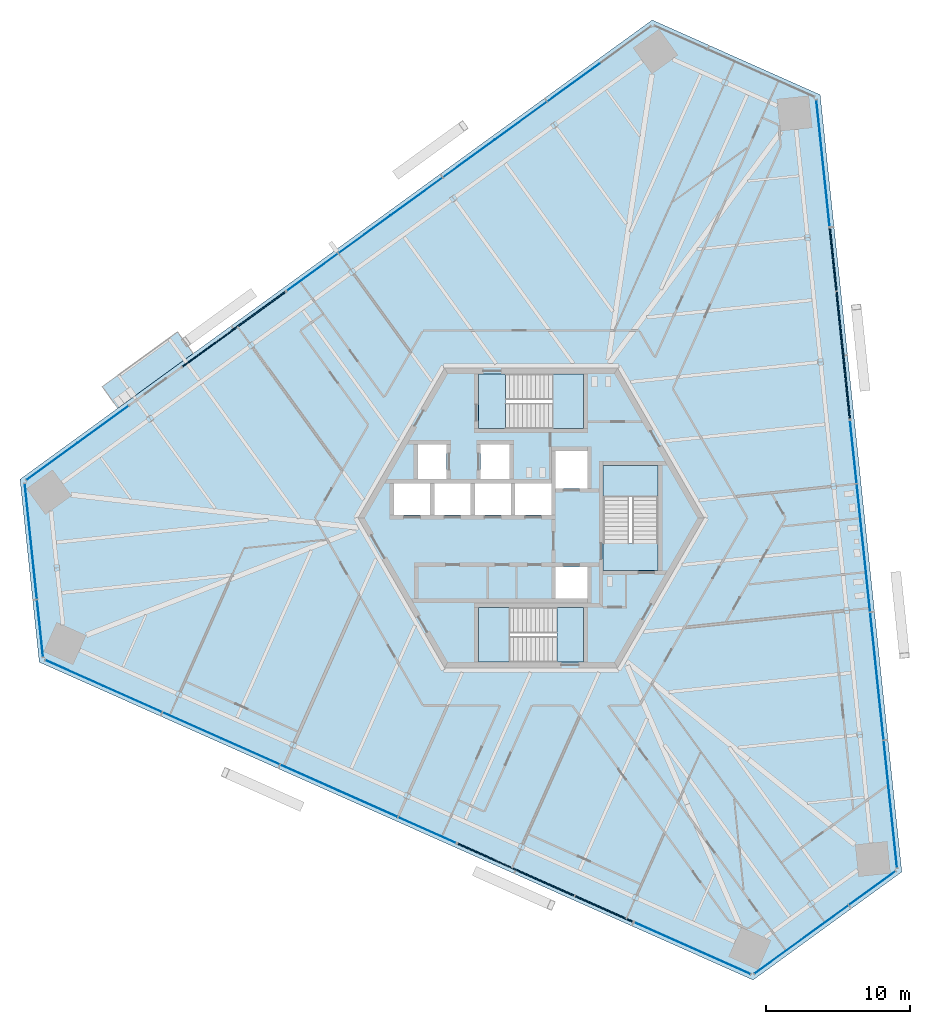
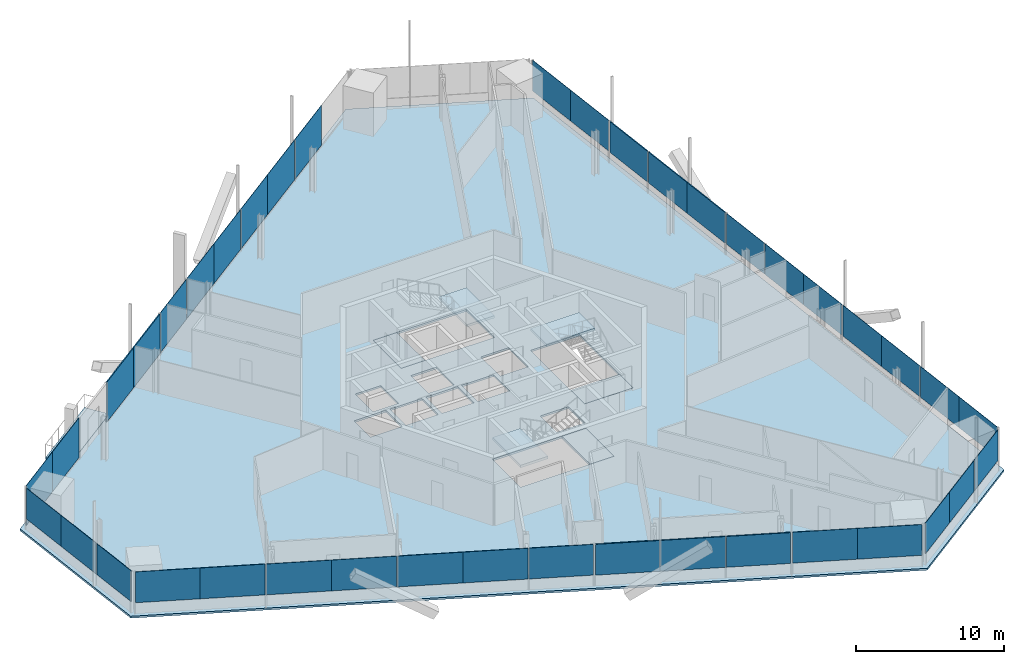
# One storey, part 9 of 21: 40 plates, 8 slabs, 14 elements without a shape of their own.
"""IFC4 building model written with IfcOpenShell, lengths in metres."""

from ifc_helpers import new_model, si_unit, direction, frame, origin, origin_2d, place, context, subcontext, project, spatial, polyline, rectangle, outline, extrude, source, transform, mapped, material, layer, layer_set, type_object, element, aggregate, save


model = new_model("IFC4")

# Units and contexts
model_context = context("Model", 3, precision=1e-05, world=origin(), true_north=direction((0.0, 1.0)))
body_context = subcontext(model_context, "Body", "Model", "MODEL_VIEW")
ifc_project = project(units=[si_unit("LENGTHUNIT", "METRE"), si_unit("AREAUNIT", "SQUARE_METRE"), si_unit("VOLUMEUNIT", "CUBIC_METRE"), si_unit("PLANEANGLEUNIT", "RADIAN"), si_unit("MASSUNIT", "GRAM", prefix="KILO")], contexts=[model_context])

# Site, building, storey
site_placement = place(None, origin())
site = spatial("IfcSite", under=ifc_project, at=site_placement, CompositionType="ELEMENT")
building_placement = place(site_placement, origin())
building = spatial("IfcBuilding", under=site, at=building_placement, Name="Triune Harvest Tower", CompositionType="ELEMENT")
storey_placement = place(building_placement, frame((0.0, 0.0, 80.10009765625)))
storey = spatial("IfcBuildingStorey", under=building, at=storey_placement, Name="L19", CompositionType="ELEMENT", Elevation=80.10009765625)

# Slab
ifc_material_1 = material(Name="Concrete 40 MPa", Category="concrete")
ifc_layer_1 = layer(ifc_material_1, 0.159912109375)
ifc_layer_set_1 = layer_set([ifc_layer_1], Name="Concrete 40 MPa")
slab_type_1 = type_object("IfcSlabType", Name="BA-1 balcony slab 160", PredefinedType="FLOOR", material=ifc_layer_set_1)
slab_1_placement = place(storey_placement, frame((0.0, 0.0, -0.16015625)))
element("IfcSlab", 1, at=slab_1_placement, inside=storey, type_object=slab_type_1, Name="Balcony slab B2-F3 L19.10", PredefinedType="FLOOR", context=body_context, shape_type="SweptSolid", body=[
    extrude(outline(polyline([(-23.422607421875, 11.4091796875), (-28.64599609375, 7.6142578125), (-29.730224609375, 9.106689453125), (-24.507080078125, 12.901611328125), (-23.422607421875, 11.4091796875)])), origin(), (0.0, 0.0, 1.0), 0.16015625),
])

# Curtain wall, plate
ifc_material_2 = material(Name="Aluminium bronze anodised", Category="aluminium")
curtain_wall_type_1 = type_object("IfcCurtainWallType", Name="CW-6 Balcony window wall", PredefinedType="NOTDEFINED", material=ifc_material_2)
curtain_wall_1_placement = place(storey_placement, origin())
curtain_wall_1 = element("IfcCurtainWall", 2, at=curtain_wall_1_placement, inside=storey, type_object=curtain_wall_type_1, Name="CW-6 B2-F3 L19 run 1")
ifc_material_3 = material(Name="Glass", Category="glass")
ifc_layer_2 = layer(ifc_material_3, 0.030029296875)
ifc_layer_set_2 = layer_set([ifc_layer_2], Name="Glass")
plate_type_1 = type_object("IfcPlateType", Name="GL-6 panel 30", PredefinedType="CURTAIN_PANEL", material=ifc_layer_set_2)
plate_1_placement = place(storey_placement, frame((-15.160888671875, 17.041015625, 0.14990234375), z_axis=(0.0, 0.0, 1.0), x_axis=(-0.809017316839, -0.587784808458, 0.0)))
plate_1 = element("IfcPlate", 3, at=plate_1_placement, type_object=plate_type_1, Name="CW-6 panel B2-F3 1.7", PredefinedType="CURTAIN_PANEL", context=body_context, shape_type="SweptSolid", body=[
    extrude(rectangle(XDim=4.363037109375, YDim=0.030029296875, at=origin_2d()), origin(), (0.0, 0.0, 1.0), 3.2900390625),
])

# Slab
ifc_material_4 = material(Name="Concrete 40 MPa", Category="concrete")
ifc_layer_3 = layer(ifc_material_4, 0.159912109375)
ifc_layer_set_3 = layer_set([ifc_layer_3], Name="Concrete 40 MPa")
slab_type_2 = type_object("IfcSlabType", Name="SL-1 Composite floor slab 160", PredefinedType="FLOOR", material=ifc_layer_set_3)
shared_shape_1 = source(origin(), body_context, "Body", "SweptSolid", [
    extrude(outline(polyline([(25.703125, -24.534423828125), (20.04052734375, 29.34228515625), (8.395751953125, 34.526611328125), (-35.431396484375, 2.6845703125), (-34.098876953125, -9.992431640625), (15.390869140625, -32.026611328125), (25.703125, -24.534423828125)]), holes=[polyline([(-7.0, 0.2099609375), (-7.0, 2.409912109375), (-9.5, 2.409912109375), (-9.5, 0.2099609375), (-7.0, 0.2099609375)]), polyline([(-4.199951171875, 0.2099609375), (-4.199951171875, 2.409912109375), (-6.699951171875, 2.409912109375), (-6.699951171875, 0.2099609375), (-4.199951171875, 0.2099609375)]), polyline([(-1.39990234375, 0.2099609375), (-1.39990234375, 2.409912109375), (-3.89990234375, 2.409912109375), (-3.89990234375, 0.2099609375), (-1.39990234375, 0.2099609375)]), polyline([(1.39990234375, 0.2099609375), (1.39990234375, 2.409912109375), (-1.10009765625, 2.409912109375), (-1.10009765625, 0.2099609375), (1.39990234375, 0.2099609375)]), polyline([(3.89990234375, 2.06005859375), (3.89990234375, 4.659912109375), (1.699951171875, 4.659912109375), (1.699951171875, 2.06005859375), (3.89990234375, 2.06005859375)]), polyline([(3.89990234375, -5.590087890625), (3.89990234375, -3.389892578125), (1.699951171875, -3.389892578125), (1.699951171875, -5.590087890625), (3.89990234375, -5.590087890625)]), polyline([(-5.85009765625, 2.7099609375), (-5.85009765625, 5.110107421875), (-7.85009765625, 5.110107421875), (-7.85009765625, 2.7099609375), (-5.85009765625, 2.7099609375)]), polyline([(-1.5, 2.7099609375), (-1.5, 5.110107421875), (-3.5, 5.110107421875), (-3.5, 2.7099609375), (-1.5, 2.7099609375)]), polyline([(3.64990234375, 6.18994140625), (3.64990234375, 9.989990234375), (-3.64990234375, 9.989990234375), (-3.64990234375, 6.18994140625), (3.64990234375, 6.18994140625)]), polyline([(3.64990234375, -9.989990234375), (3.64990234375, -6.18994140625), (-3.64990234375, -6.18994140625), (-3.64990234375, -9.989990234375), (3.64990234375, -9.989990234375)]), polyline([(8.800048828125, -3.64990234375), (8.800048828125, 3.64990234375), (5.0, 3.64990234375), (5.0, -3.64990234375), (8.800048828125, -3.64990234375)])]), origin(), (0.0, 0.0, 1.0), 0.16015625),
])
slab_2_placement = place(storey_placement, frame((0.0, 0.0, -0.16015625)))
element("IfcSlab", 4, at=slab_2_placement, inside=storey, type_object=slab_type_2, Name="slab/L19/1", PredefinedType="FLOOR", context=body_context, shape_type="MappedRepresentation", body=[
    mapped(shared_shape_1, transform((0.0, 0.0, 0.0), scale=1.0)),
])

# Stair, slabs
ifc_material_5 = material(Name="Concrete 40 MPa", Category="concrete")
stair_type = type_object("IfcStairType", Name="Exit stair 1800 half turn", PredefinedType="HALF_TURN_STAIR", material=ifc_material_5)
stair_1_placement = place(storey_placement, origin())
stair_1 = element("IfcStair", 5, at=stair_1_placement, inside=storey, type_object=stair_type, Name="Exit stair north", PredefinedType="HALF_TURN_STAIR")
ifc_material_6 = material(Name="Concrete 40 MPa", Category="concrete")
ifc_layer_4 = layer(ifc_material_6, 0.199951171875)
ifc_layer_set_4 = layer_set([ifc_layer_4], Name="Concrete 40 MPa")
slab_type_3 = type_object("IfcSlabType", Name="Stair landing 200", PredefinedType="LANDING", material=ifc_layer_set_4)
shared_shape_2 = source(origin(), body_context, "Body", "SweptSolid", [
    extrude(outline(polyline([(1.510009765625, 6.18994140625), (3.64990234375, 6.18994140625), (3.64990234375, 9.989990234375), (1.510009765625, 9.989990234375), (1.510009765625, 6.18994140625)])), origin(), (0.0, 0.0, 1.0), 0.199951171875),
])
slab_3_placement = place(storey_placement, frame((0.0, 0.0, 1.599853515625)))
slab_3 = element("IfcSlab", 6, at=slab_3_placement, type_object=slab_type_3, Name="ST-1 landing 2", PredefinedType="LANDING", context=body_context, shape_type="MappedRepresentation", body=[
    mapped(shared_shape_2, transform((0.0, 0.0, 0.0), scale=1.0)),
])
shared_shape_3 = source(origin(), body_context, "Body", "SweptSolid", [
    extrude(outline(polyline([(-3.64990234375, 6.18994140625), (-1.780029296875, 6.18994140625), (-1.780029296875, 9.989990234375), (-3.64990234375, 9.989990234375), (-3.64990234375, 6.18994140625)])), origin(), (0.0, 0.0, 1.0), 0.2001953125),
])
slab_4_placement = place(storey_placement, frame((0.0, 0.0, -0.2001953125)))
slab_4 = element("IfcSlab", 7, at=slab_4_placement, type_object=slab_type_3, Name="ST-1 landing 1", PredefinedType="LANDING", context=body_context, shape_type="MappedRepresentation", body=[
    mapped(shared_shape_3, transform((0.0, 0.0, 0.0), scale=1.0)),
])
aggregate(stair_1, [slab_4, slab_3])

stair_2_placement = place(storey_placement, origin())
stair_2 = element("IfcStair", 8, at=stair_2_placement, inside=storey, type_object=stair_type, Name="Exit stair south", PredefinedType="HALF_TURN_STAIR")
shared_shape_4 = source(origin(), body_context, "Body", "SweptSolid", [
    extrude(outline(polyline([(-1.510009765625, -6.18994140625), (-3.64990234375, -6.18994140625), (-3.64990234375, -9.989990234375), (-1.510009765625, -9.989990234375), (-1.510009765625, -6.18994140625)])), origin(), (0.0, 0.0, 1.0), 0.199951171875),
])
slab_5_placement = place(storey_placement, frame((0.0, 0.0, 1.599853515625)))
slab_5 = element("IfcSlab", 9, at=slab_5_placement, type_object=slab_type_3, Name="ST-2 landing 2", PredefinedType="LANDING", context=body_context, shape_type="MappedRepresentation", body=[
    mapped(shared_shape_4, transform((0.0, 0.0, 0.0), scale=1.0)),
])
shared_shape_5 = source(origin(), body_context, "Body", "SweptSolid", [
    extrude(outline(polyline([(3.64990234375, -6.18994140625), (1.780029296875, -6.18994140625), (1.780029296875, -9.989990234375), (3.64990234375, -9.989990234375), (3.64990234375, -6.18994140625)])), origin(), (0.0, 0.0, 1.0), 0.2001953125),
])
slab_6_placement = place(storey_placement, frame((0.0, 0.0, -0.2001953125)))
slab_6 = element("IfcSlab", 10, at=slab_6_placement, type_object=slab_type_3, Name="ST-2 landing 1", PredefinedType="LANDING", context=body_context, shape_type="MappedRepresentation", body=[
    mapped(shared_shape_5, transform((0.0, 0.0, 0.0), scale=1.0)),
])
aggregate(stair_2, [slab_6, slab_5])

stair_3_placement = place(storey_placement, origin())
stair_3 = element("IfcStair", 11, at=stair_3_placement, inside=storey, type_object=stair_type, Name="Exit stair east", PredefinedType="HALF_TURN_STAIR")
shared_shape_6 = source(origin(), body_context, "Body", "SweptSolid", [
    extrude(outline(polyline([(8.800048828125, 1.510009765625), (8.800048828125, 3.64990234375), (5.0, 3.64990234375), (5.0, 1.510009765625), (8.800048828125, 1.510009765625)])), origin(), (0.0, 0.0, 1.0), 0.199951171875),
])
slab_7_placement = place(storey_placement, frame((0.0, 0.0, 1.599853515625)))
slab_7 = element("IfcSlab", 12, at=slab_7_placement, type_object=slab_type_3, Name="ST-3 landing 2", PredefinedType="LANDING", context=body_context, shape_type="MappedRepresentation", body=[
    mapped(shared_shape_6, transform((0.0, 0.0, 0.0), scale=1.0)),
])
shared_shape_7 = source(origin(), body_context, "Body", "SweptSolid", [
    extrude(outline(polyline([(8.800048828125, -3.64990234375), (8.800048828125, -1.780029296875), (5.0, -1.780029296875), (5.0, -3.64990234375), (8.800048828125, -3.64990234375)])), origin(), (0.0, 0.0, 1.0), 0.2001953125),
])
slab_8_placement = place(storey_placement, frame((0.0, 0.0, -0.2001953125)))
slab_8 = element("IfcSlab", 13, at=slab_8_placement, type_object=slab_type_3, Name="ST-3 landing 1", PredefinedType="LANDING", context=body_context, shape_type="MappedRepresentation", body=[
    mapped(shared_shape_7, transform((0.0, 0.0, 0.0), scale=1.0)),
])
aggregate(stair_3, [slab_8, slab_7])

# Curtain wall, plates
ifc_material_7 = material(Name="Aluminium bronze anodised", Category="aluminium")
curtain_wall_type_2 = type_object("IfcCurtainWallType", Name="CW-1 Tower stick curtain wall", PredefinedType="NOTDEFINED", material=ifc_material_7)
curtain_wall_2_placement = place(storey_placement, origin())
curtain_wall_2 = element("IfcCurtainWall", 14, at=curtain_wall_2_placement, inside=storey, type_object=curtain_wall_type_2, Name="CW-1 B2-F4 L19 run 1")
ifc_material_8 = material(Name="Glass", Category="glass")
ifc_layer_5 = layer(ifc_material_8, 0.031982421875)
ifc_layer_set_5 = layer_set([ifc_layer_5], Name="Glass")
plate_type_2 = type_object("IfcPlateType", Name="GL-1 panel 32", PredefinedType="CURTAIN_PANEL", material=ifc_layer_set_5)
shared_shape_8 = source(origin(), body_context, "Body", "SweptSolid", [
    extrude(rectangle(XDim=3.99853515625, YDim=0.031982421875, at=origin_2d()), origin(), (0.0, 0.0, 1.0), 2.5400390625),
])
plate_2_placement = place(storey_placement, frame((-34.888671875, 0.39111328125, 0.89990234375), z_axis=(0.0, 0.0, 1.0), x_axis=(0.104529462601, -0.994521790334, 0.0)))
plate_2 = element("IfcPlate", 15, at=plate_2_placement, type_object=plate_type_2, Name="CW-1 panel B2-F4 1.1", PredefinedType="CURTAIN_PANEL", context=body_context, shape_type="MappedRepresentation", body=[
    mapped(shared_shape_8, transform((0.0, 0.0, 0.0), scale=1.0)),
])
shared_shape_9 = source(origin(), body_context, "Body", "SweptSolid", [
    extrude(rectangle(XDim=4.035888671875, YDim=0.031982421875, at=origin_2d()), origin(), (0.0, 0.0, 1.0), 2.5400390625),
])
plate_3_placement = place(storey_placement, frame((-34.46875, -3.60400390625, 0.89990234375), z_axis=(0.0, 0.0, 1.0), x_axis=(0.104529462601, -0.994521790334, 0.0)))
plate_3 = element("IfcPlate", 16, at=plate_3_placement, type_object=plate_type_2, Name="CW-1 panel B2-F4 1.2", PredefinedType="CURTAIN_PANEL", context=body_context, shape_type="MappedRepresentation", body=[
    mapped(shared_shape_9, transform((0.0, 0.0, 0.0), scale=1.0)),
])

# Curtain wall, plate
curtain_wall_3_placement = place(storey_placement, origin())
curtain_wall_3 = element("IfcCurtainWall", 17, at=curtain_wall_3_placement, inside=storey, type_object=curtain_wall_type_2, Name="CW-1 B2-F6 L19 run 1")
plate_4_placement = place(storey_placement, frame((20.35546875, -28.048828125, 0.89990234375), z_axis=(0.0, 0.0, 1.0), x_axis=(0.809013235692, 0.58779042564, 0.0)))
plate_4 = element("IfcPlate", 18, at=plate_4_placement, type_object=plate_type_2, Name="CW-1 panel B2-F6 1.2", PredefinedType="CURTAIN_PANEL", context=body_context, shape_type="MappedRepresentation", body=[
    mapped(shared_shape_9, transform((0.0, 0.0, 0.0), scale=1.0)),
])

# Plate
shared_shape_10 = source(origin(), body_context, "Body", "SweptSolid", [
    extrude(rectangle(XDim=3.9609375, YDim=0.031982421875, at=origin_2d()), origin(), (0.0, 0.0, 1.0), 2.5400390625),
])
plate_5_placement = place(storey_placement, frame((-34.04296875, -7.655029296875, 0.89990234375), z_axis=(0.0, 0.0, 1.0), x_axis=(0.104529462601, -0.994521790334, 0.0)))
plate_5 = element("IfcPlate", 19, at=plate_5_placement, type_object=plate_type_2, Name="CW-1 panel B2-F4 1.3", PredefinedType="CURTAIN_PANEL", context=body_context, shape_type="MappedRepresentation", body=[
    mapped(shared_shape_10, transform((0.0, 0.0, 0.0), scale=1.0)),
])

aggregate(curtain_wall_2, [plate_2, plate_3, plate_5])

plate_6_placement = place(storey_placement, frame((23.65087890625, -25.654541015625, 0.89990234375), z_axis=(0.0, 0.0, 1.0), x_axis=(0.809013235692, 0.58779042564, 0.0)))
plate_6 = element("IfcPlate", 20, at=plate_6_placement, type_object=plate_type_2, Name="CW-1 panel B2-F6 1.3", PredefinedType="CURTAIN_PANEL", context=body_context, shape_type="MappedRepresentation", body=[
    mapped(shared_shape_10, transform((0.0, 0.0, 0.0), scale=1.0)),
])

shared_shape_11 = source(origin(), body_context, "Body", "SweptSolid", [
    extrude(rectangle(XDim=3.998291015625, YDim=0.031982421875, at=origin_2d()), origin(), (0.0, 0.0, 1.0), 2.5400390625),
])
plate_7_placement = place(storey_placement, frame((17.10546875, -30.41015625, 0.89990234375), z_axis=(0.0, 0.0, 1.0), x_axis=(0.809013235692, 0.58779042564, 0.0)))
plate_7 = element("IfcPlate", 21, at=plate_7_placement, type_object=plate_type_2, Name="CW-1 panel B2-F6 1.1", PredefinedType="CURTAIN_PANEL", context=body_context, shape_type="MappedRepresentation", body=[
    mapped(shared_shape_11, transform((0.0, 0.0, 0.0), scale=1.0)),
])

aggregate(curtain_wall_3, [plate_7, plate_4, plate_6])

# Curtain wall, plate
ifc_material_9 = material(Name="Aluminium bronze anodised", Category="aluminium")
curtain_wall_type_3 = type_object("IfcCurtainWallType", Name="CW-7 Tower stick curtain wall with insulated spandrel infill", PredefinedType="NOTDEFINED", material=ifc_material_9)
curtain_wall_4_placement = place(storey_placement, origin())
curtain_wall_4 = element("IfcCurtainWall", 22, at=curtain_wall_4_placement, inside=storey, type_object=curtain_wall_type_3, Name="CW-7 B2-F1 L19 run 1001")
ifc_material_10 = material(Name="Insulated spandrel panel, bronze aluminium pan", Category="aluminium")
ifc_layer_6 = layer(ifc_material_10, 0.080078125)
ifc_layer_set_6 = layer_set([ifc_layer_6], Name="Insulated spandrel panel, bronze aluminium pan")
plate_type_3 = type_object("IfcPlateType", Name="SP-1 insulated spandrel panel 80", PredefinedType="CURTAIN_PANEL", material=ifc_layer_set_6)
shared_shape_12 = source(origin(), body_context, "Body", "SweptSolid", [
    extrude(rectangle(XDim=4.3955078125, YDim=0.080078125, at=origin_2d()), origin(), (0.0, 0.0, 1.0), 2.5400390625),
])
plate_8_placement = place(storey_placement, frame((21.868408203125, 9.078857421875, 0.89990234375), z_axis=(0.0, 0.0, 1.0), x_axis=(-0.104527591495, 0.994521986995, 0.0)))
plate_8 = element("IfcPlate", 23, at=plate_8_placement, type_object=plate_type_3, Name="CW-7 panel B2-F1 1001.1", PredefinedType="CURTAIN_PANEL", context=body_context, shape_type="MappedRepresentation", body=[
    mapped(shared_shape_12, transform((0.0, 0.0, 0.0), scale=1.0)),
])

curtain_wall_5_placement = place(storey_placement, origin())
curtain_wall_5 = element("IfcCurtainWall", 24, at=curtain_wall_5_placement, inside=storey, type_object=curtain_wall_type_3, Name="CW-7 B2-F5 L19 run 1001")
plate_9_placement = place(storey_placement, frame((-3.071533203125, -23.478271484375, 0.89990234375), z_axis=(0.0, 0.0, 1.0), x_axis=(0.91354354316, -0.406740943046, 0.0)))
plate_9 = element("IfcPlate", 25, at=plate_9_placement, type_object=plate_type_3, Name="CW-7 panel B2-F5 1001.1", PredefinedType="CURTAIN_PANEL", context=body_context, shape_type="MappedRepresentation", body=[
    mapped(shared_shape_12, transform((0.0, 0.0, 0.0), scale=1.0)),
])

# Plate
shared_shape_13 = source(origin(), body_context, "Body", "SweptSolid", [
    extrude(rectangle(XDim=4.43310546875, YDim=0.080078125, at=origin_2d()), origin(), (0.0, 0.0, 1.0), 2.5400390625),
])
plate_10_placement = place(storey_placement, frame((21.4072265625, 13.468994140625, 0.89990234375), z_axis=(0.0, 0.0, 1.0), x_axis=(-0.104527591495, 0.994521986995, 0.0)))
plate_10 = element("IfcPlate", 26, at=plate_10_placement, type_object=plate_type_3, Name="CW-7 panel B2-F1 1001.2", PredefinedType="CURTAIN_PANEL", context=body_context, shape_type="MappedRepresentation", body=[
    mapped(shared_shape_13, transform((0.0, 0.0, 0.0), scale=1.0)),
])

plate_11_placement = place(storey_placement, frame((0.961181640625, -25.273681640625, 0.89990234375), z_axis=(0.0, 0.0, 1.0), x_axis=(0.91354354316, -0.406740943046, 0.0)))
plate_11 = element("IfcPlate", 27, at=plate_11_placement, type_object=plate_type_3, Name="CW-7 panel B2-F5 1001.2", PredefinedType="CURTAIN_PANEL", context=body_context, shape_type="MappedRepresentation", body=[
    mapped(shared_shape_13, transform((0.0, 0.0, 0.0), scale=1.0)),
])

# Curtain wall, plate
curtain_wall_6_placement = place(storey_placement, origin())
curtain_wall_6 = element("IfcCurtainWall", 28, at=curtain_wall_6_placement, inside=storey, type_object=curtain_wall_type_2, Name="CW-1 B2-F1 L19 run 1")
shared_shape_14 = source(origin(), body_context, "Body", "SweptSolid", [
    extrude(rectangle(XDim=4.3955078125, YDim=0.031982421875, at=origin_2d()), origin(), (0.0, 0.0, 1.0), 2.5400390625),
])
plate_12_placement = place(storey_placement, frame((25.1396484375, -22.043701171875, 0.89990234375), z_axis=(0.0, 0.0, 1.0), x_axis=(-0.1045277105, 0.994521974487, 0.0)))
plate_12 = element("IfcPlate", 29, at=plate_12_placement, type_object=plate_type_2, Name="CW-1 panel B2-F1 1.1", PredefinedType="CURTAIN_PANEL", context=body_context, shape_type="MappedRepresentation", body=[
    mapped(shared_shape_14, transform((0.0, 0.0, 0.0), scale=1.0)),
])

# Curtain wall, plates
curtain_wall_7_placement = place(storey_placement, origin())
curtain_wall_7 = element("IfcCurtainWall", 30, at=curtain_wall_7_placement, inside=storey, type_object=curtain_wall_type_2, Name="CW-1 B2-F1 L19 run 2001")
plate_13_placement = place(storey_placement, frame((20.466552734375, 22.417236328125, 0.89990234375), z_axis=(0.0, 0.0, 1.0), x_axis=(-0.104526845393, 0.994522065412, 0.0)))
plate_13 = element("IfcPlate", 31, at=plate_13_placement, type_object=plate_type_2, Name="CW-1 panel B2-F1 2001.1", PredefinedType="CURTAIN_PANEL", context=body_context, shape_type="MappedRepresentation", body=[
    mapped(shared_shape_14, transform((0.0, 0.0, 0.0), scale=1.0)),
])
plate_14_placement = place(storey_placement, frame((20.007080078125, 26.788818359375, 0.89990234375), z_axis=(0.0, 0.0, 1.0), x_axis=(-0.104526845393, 0.994522065412, 0.0)))
plate_14 = element("IfcPlate", 32, at=plate_14_placement, type_object=plate_type_2, Name="CW-1 panel B2-F1 2001.2", PredefinedType="CURTAIN_PANEL", context=body_context, shape_type="MappedRepresentation", body=[
    mapped(shared_shape_14, transform((0.0, 0.0, 0.0), scale=1.0)),
])
aggregate(curtain_wall_7, [plate_13, plate_14])

# Curtain wall, plate
curtain_wall_8_placement = place(storey_placement, origin())
curtain_wall_8 = element("IfcCurtainWall", 33, at=curtain_wall_8_placement, inside=storey, type_object=curtain_wall_type_2, Name="CW-1 B2-F5 L19 run 1")
plate_15_placement = place(storey_placement, frame((-31.66015625, -10.749755859375, 0.89990234375), z_axis=(0.0, 0.0, 1.0), x_axis=(0.913545672895, -0.40673615961, 0.0)))
plate_15 = element("IfcPlate", 34, at=plate_15_placement, type_object=plate_type_2, Name="CW-1 panel B2-F5 1.1", PredefinedType="CURTAIN_PANEL", context=body_context, shape_type="MappedRepresentation", body=[
    mapped(shared_shape_14, transform((0.0, 0.0, 0.0), scale=1.0)),
])

# Curtain wall, plates
curtain_wall_9_placement = place(storey_placement, origin())
curtain_wall_9 = element("IfcCurtainWall", 35, at=curtain_wall_9_placement, inside=storey, type_object=curtain_wall_type_2, Name="CW-1 B2-F5 L19 run 2001")
plate_16_placement = place(storey_placement, frame((9.1806640625, -28.933349609375, 0.89990234375), z_axis=(0.0, 0.0, 1.0), x_axis=(0.913546072938, -0.406735261097, 0.0)))
plate_16 = element("IfcPlate", 36, at=plate_16_placement, type_object=plate_type_2, Name="CW-1 panel B2-F5 2001.1", PredefinedType="CURTAIN_PANEL", context=body_context, shape_type="MappedRepresentation", body=[
    mapped(shared_shape_14, transform((0.0, 0.0, 0.0), scale=1.0)),
])
plate_17_placement = place(storey_placement, frame((13.1962890625, -30.72119140625, 0.89990234375), z_axis=(0.0, 0.0, 1.0), x_axis=(0.913546072938, -0.406735261097, 0.0)))
plate_17 = element("IfcPlate", 37, at=plate_17_placement, type_object=plate_type_2, Name="CW-1 panel B2-F5 2001.2", PredefinedType="CURTAIN_PANEL", context=body_context, shape_type="MappedRepresentation", body=[
    mapped(shared_shape_14, transform((0.0, 0.0, 0.0), scale=1.0)),
])
aggregate(curtain_wall_9, [plate_16, plate_17])

# Plate
shared_shape_15 = source(origin(), body_context, "Body", "SweptSolid", [
    extrude(rectangle(XDim=4.43310546875, YDim=0.031982421875, at=origin_2d()), origin(), (0.0, 0.0, 1.0), 2.5400390625),
])
plate_18_placement = place(storey_placement, frame((24.67822265625, -17.653564453125, 0.89990234375), z_axis=(0.0, 0.0, 1.0), x_axis=(-0.1045277105, 0.994521974487, 0.0)))
plate_18 = element("IfcPlate", 38, at=plate_18_placement, type_object=plate_type_2, Name="CW-1 panel B2-F1 1.2", PredefinedType="CURTAIN_PANEL", context=body_context, shape_type="MappedRepresentation", body=[
    mapped(shared_shape_15, transform((0.0, 0.0, 0.0), scale=1.0)),
])

plate_19_placement = place(storey_placement, frame((24.20703125, -13.170166015625, 0.89990234375), z_axis=(0.0, 0.0, 1.0), x_axis=(-0.1045277105, 0.994521974487, 0.0)))
plate_19 = element("IfcPlate", 39, at=plate_19_placement, type_object=plate_type_2, Name="CW-1 panel B2-F1 1.3", PredefinedType="CURTAIN_PANEL", context=body_context, shape_type="MappedRepresentation", body=[
    mapped(shared_shape_15, transform((0.0, 0.0, 0.0), scale=1.0)),
])

plate_20_placement = place(storey_placement, frame((23.74365234375, -8.76123046875, 0.89990234375), z_axis=(0.0, 0.0, 1.0), x_axis=(-0.1045277105, 0.994521974487, 0.0)))
plate_20 = element("IfcPlate", 40, at=plate_20_placement, type_object=plate_type_2, Name="CW-1 panel B2-F1 1.4", PredefinedType="CURTAIN_PANEL", context=body_context, shape_type="MappedRepresentation", body=[
    mapped(shared_shape_15, transform((0.0, 0.0, 0.0), scale=1.0)),
])

plate_21_placement = place(storey_placement, frame((23.2724609375, -4.278076171875, 0.89990234375), z_axis=(0.0, 0.0, 1.0), x_axis=(-0.1045277105, 0.994521974487, 0.0)))
plate_21 = element("IfcPlate", 41, at=plate_21_placement, type_object=plate_type_2, Name="CW-1 panel B2-F1 1.5", PredefinedType="CURTAIN_PANEL", context=body_context, shape_type="MappedRepresentation", body=[
    mapped(shared_shape_15, transform((0.0, 0.0, 0.0), scale=1.0)),
])

plate_22_placement = place(storey_placement, frame((22.80908203125, 0.130859375, 0.89990234375), z_axis=(0.0, 0.0, 1.0), x_axis=(-0.1045277105, 0.994521974487, 0.0)))
plate_22 = element("IfcPlate", 42, at=plate_22_placement, type_object=plate_type_2, Name="CW-1 panel B2-F1 1.6", PredefinedType="CURTAIN_PANEL", context=body_context, shape_type="MappedRepresentation", body=[
    mapped(shared_shape_15, transform((0.0, 0.0, 0.0), scale=1.0)),
])

plate_23_placement = place(storey_placement, frame((-27.62744140625, -12.54541015625, 0.89990234375), z_axis=(0.0, 0.0, 1.0), x_axis=(0.913545672895, -0.40673615961, 0.0)))
plate_23 = element("IfcPlate", 43, at=plate_23_placement, type_object=plate_type_2, Name="CW-1 panel B2-F5 1.2", PredefinedType="CURTAIN_PANEL", context=body_context, shape_type="MappedRepresentation", body=[
    mapped(shared_shape_15, transform((0.0, 0.0, 0.0), scale=1.0)),
])

plate_24_placement = place(storey_placement, frame((-23.509033203125, -14.37890625, 0.89990234375), z_axis=(0.0, 0.0, 1.0), x_axis=(0.913545672895, -0.40673615961, 0.0)))
plate_24 = element("IfcPlate", 44, at=plate_24_placement, type_object=plate_type_2, Name="CW-1 panel B2-F5 1.3", PredefinedType="CURTAIN_PANEL", context=body_context, shape_type="MappedRepresentation", body=[
    mapped(shared_shape_15, transform((0.0, 0.0, 0.0), scale=1.0)),
])

plate_25_placement = place(storey_placement, frame((-19.459228515625, -16.181884765625, 0.89990234375), z_axis=(0.0, 0.0, 1.0), x_axis=(0.913545672895, -0.40673615961, 0.0)))
plate_25 = element("IfcPlate", 45, at=plate_25_placement, type_object=plate_type_2, Name="CW-1 panel B2-F5 1.4", PredefinedType="CURTAIN_PANEL", context=body_context, shape_type="MappedRepresentation", body=[
    mapped(shared_shape_15, transform((0.0, 0.0, 0.0), scale=1.0)),
])

plate_26_placement = place(storey_placement, frame((-15.341064453125, -18.015625, 0.89990234375), z_axis=(0.0, 0.0, 1.0), x_axis=(0.913545672895, -0.40673615961, 0.0)))
plate_26 = element("IfcPlate", 46, at=plate_26_placement, type_object=plate_type_2, Name="CW-1 panel B2-F5 1.5", PredefinedType="CURTAIN_PANEL", context=body_context, shape_type="MappedRepresentation", body=[
    mapped(shared_shape_15, transform((0.0, 0.0, 0.0), scale=1.0)),
])

plate_27_placement = place(storey_placement, frame((-11.291015625, -19.818603515625, 0.89990234375), z_axis=(0.0, 0.0, 1.0), x_axis=(0.913545672895, -0.40673615961, 0.0)))
plate_27 = element("IfcPlate", 47, at=plate_27_placement, type_object=plate_type_2, Name="CW-1 panel B2-F5 1.6", PredefinedType="CURTAIN_PANEL", context=body_context, shape_type="MappedRepresentation", body=[
    mapped(shared_shape_15, transform((0.0, 0.0, 0.0), scale=1.0)),
])

# Curtain wall, plates
curtain_wall_10_placement = place(storey_placement, origin())
curtain_wall_10 = element("IfcCurtainWall", 48, at=curtain_wall_10_placement, inside=storey, type_object=curtain_wall_type_1, Name="CW-6 B2-F3 L19 run 2")
shared_shape_16 = source(origin(), body_context, "Body", "SweptSolid", [
    extrude(rectangle(XDim=4.365478515625, YDim=0.030029296875, at=origin_2d()), origin(), (0.0, 0.0, 1.0), 3.2900390625),
])
plate_28_placement = place(storey_placement, frame((-29.68359375, 6.489501953125, 0.14990234375), z_axis=(0.0, 0.0, 1.0), x_axis=(-0.809017013446, -0.587785226043, 0.0)))
plate_28 = element("IfcPlate", 49, at=plate_28_placement, type_object=plate_type_1, Name="CW-6 panel B2-F3 2.1", PredefinedType="CURTAIN_PANEL", context=body_context, shape_type="MappedRepresentation", body=[
    mapped(shared_shape_16, transform((0.0, 0.0, 0.0), scale=1.0)),
])
plate_29_placement = place(storey_placement, frame((-33.21533203125, 3.923583984375, 0.14990234375), z_axis=(0.0, 0.0, 1.0), x_axis=(-0.809017013446, -0.587785226043, 0.0)))
plate_29 = element("IfcPlate", 50, at=plate_29_placement, type_object=plate_type_1, Name="CW-6 panel B2-F3 2.2", PredefinedType="CURTAIN_PANEL", context=body_context, shape_type="MappedRepresentation", body=[
    mapped(shared_shape_16, transform((0.0, 0.0, 0.0), scale=1.0)),
])
aggregate(curtain_wall_10, [plate_28, plate_29])

ifc_material_11 = material(Name="Aluminium bronze anodised", Category="aluminium")
curtain_wall_type_4 = type_object("IfcCurtainWallType", Name="CW-10 Balcony window wall with insulated spandrel infill", PredefinedType="NOTDEFINED", material=ifc_material_11)
curtain_wall_11_placement = place(storey_placement, origin())
curtain_wall_11 = element("IfcCurtainWall", 51, at=curtain_wall_11_placement, inside=storey, type_object=curtain_wall_type_4, Name="CW-10 B2-F3 L19 run 1001")
shared_shape_17 = source(origin(), body_context, "Body", "SweptSolid", [
    extrude(rectangle(XDim=4.400634765625, YDim=0.080078125, at=origin_2d()), origin(), (0.0, 0.0, 1.0), 3.2900390625),
])
plate_30_placement = place(storey_placement, frame((-18.8271484375, 14.377197265625, 0.14990234375), z_axis=(0.0, 0.0, 1.0), x_axis=(-0.809015951568, -0.587786687591, 0.0)))
plate_30 = element("IfcPlate", 52, at=plate_30_placement, type_object=plate_type_3, Name="CW-10 panel B2-F3 1001.1", PredefinedType="CURTAIN_PANEL", context=body_context, shape_type="MappedRepresentation", body=[
    mapped(shared_shape_17, transform((0.0, 0.0, 0.0), scale=1.0)),
])
plate_31_placement = place(storey_placement, frame((-22.387451171875, 11.79052734375, 0.14990234375), z_axis=(0.0, 0.0, 1.0), x_axis=(-0.809015951568, -0.587786687591, 0.0)))
plate_31 = element("IfcPlate", 53, at=plate_31_placement, type_object=plate_type_3, Name="CW-10 panel B2-F3 1001.2", PredefinedType="CURTAIN_PANEL", context=body_context, shape_type="MappedRepresentation", body=[
    mapped(shared_shape_17, transform((0.0, 0.0, 0.0), scale=1.0)),
])
aggregate(curtain_wall_11, [plate_30, plate_31])

# Plate
shared_shape_18 = source(origin(), body_context, "Body", "SweptSolid", [
    extrude(rectangle(XDim=4.43798828125, YDim=0.030029296875, at=origin_2d()), origin(), (0.0, 0.0, 1.0), 3.2900390625),
])
plate_32_placement = place(storey_placement, frame((2.943115234375, 30.1943359375, 0.14990234375), z_axis=(0.0, 0.0, 1.0), x_axis=(-0.809017316839, -0.587784808458, 0.0)))
plate_32 = element("IfcPlate", 54, at=plate_32_placement, type_object=plate_type_1, Name="CW-6 panel B2-F3 1.2", PredefinedType="CURTAIN_PANEL", context=body_context, shape_type="MappedRepresentation", body=[
    mapped(shared_shape_18, transform((0.0, 0.0, 0.0), scale=1.0)),
])

plate_33_placement = place(storey_placement, frame((-0.7080078125, 27.54150390625, 0.14990234375), z_axis=(0.0, 0.0, 1.0), x_axis=(-0.809017316839, -0.587784808458, 0.0)))
plate_33 = element("IfcPlate", 55, at=plate_33_placement, type_object=plate_type_1, Name="CW-6 panel B2-F3 1.3", PredefinedType="CURTAIN_PANEL", context=body_context, shape_type="MappedRepresentation", body=[
    mapped(shared_shape_18, transform((0.0, 0.0, 0.0), scale=1.0)),
])

plate_34_placement = place(storey_placement, frame((-4.298583984375, 24.932861328125, 0.14990234375), z_axis=(0.0, 0.0, 1.0), x_axis=(-0.809017316839, -0.587784808458, 0.0)))
plate_34 = element("IfcPlate", 56, at=plate_34_placement, type_object=plate_type_1, Name="CW-6 panel B2-F3 1.4", PredefinedType="CURTAIN_PANEL", context=body_context, shape_type="MappedRepresentation", body=[
    mapped(shared_shape_18, transform((0.0, 0.0, 0.0), scale=1.0)),
])

plate_35_placement = place(storey_placement, frame((-7.94970703125, 22.2802734375, 0.14990234375), z_axis=(0.0, 0.0, 1.0), x_axis=(-0.809017316839, -0.587784808458, 0.0)))
plate_35 = element("IfcPlate", 57, at=plate_35_placement, type_object=plate_type_1, Name="CW-6 panel B2-F3 1.5", PredefinedType="CURTAIN_PANEL", context=body_context, shape_type="MappedRepresentation", body=[
    mapped(shared_shape_18, transform((0.0, 0.0, 0.0), scale=1.0)),
])

plate_36_placement = place(storey_placement, frame((-11.5400390625, 19.671630859375, 0.14990234375), z_axis=(0.0, 0.0, 1.0), x_axis=(-0.809017316839, -0.587784808458, 0.0)))
plate_36 = element("IfcPlate", 58, at=plate_36_placement, type_object=plate_type_1, Name="CW-6 panel B2-F3 1.6", PredefinedType="CURTAIN_PANEL", context=body_context, shape_type="MappedRepresentation", body=[
    mapped(shared_shape_18, transform((0.0, 0.0, 0.0), scale=1.0)),
])

aggregate(curtain_wall_1, [plate_32, plate_33, plate_34, plate_35, plate_36, plate_1])

shared_shape_19 = source(origin(), body_context, "Body", "SweptSolid", [
    extrude(rectangle(XDim=4.358154296875, YDim=0.031982421875, at=origin_2d()), origin(), (0.0, 0.0, 1.0), 2.5400390625),
])
plate_37_placement = place(storey_placement, frame((22.341796875, 4.576904296875, 0.89990234375), z_axis=(0.0, 0.0, 1.0), x_axis=(-0.1045277105, 0.994521974487, 0.0)))
plate_37 = element("IfcPlate", 59, at=plate_37_placement, type_object=plate_type_2, Name="CW-1 panel B2-F1 1.7", PredefinedType="CURTAIN_PANEL", context=body_context, shape_type="MappedRepresentation", body=[
    mapped(shared_shape_19, transform((0.0, 0.0, 0.0), scale=1.0)),
])

aggregate(curtain_wall_6, [plate_12, plate_18, plate_19, plate_20, plate_21, plate_22, plate_37])

plate_38_placement = place(storey_placement, frame((-7.20703125, -21.636962890625, 0.89990234375), z_axis=(0.0, 0.0, 1.0), x_axis=(0.913545672895, -0.40673615961, 0.0)))
plate_38 = element("IfcPlate", 60, at=plate_38_placement, type_object=plate_type_2, Name="CW-1 panel B2-F5 1.7", PredefinedType="CURTAIN_PANEL", context=body_context, shape_type="MappedRepresentation", body=[
    mapped(shared_shape_19, transform((0.0, 0.0, 0.0), scale=1.0)),
])

aggregate(curtain_wall_8, [plate_15, plate_23, plate_24, plate_25, plate_26, plate_27, plate_38])

shared_shape_20 = source(origin(), body_context, "Body", "SweptSolid", [
    extrude(rectangle(XDim=4.358154296875, YDim=0.080078125, at=origin_2d()), origin(), (0.0, 0.0, 1.0), 2.5400390625),
])
plate_39_placement = place(storey_placement, frame((20.939697265625, 17.915283203125, 0.89990234375), z_axis=(0.0, 0.0, 1.0), x_axis=(-0.104527591495, 0.994521986995, 0.0)))
plate_39 = element("IfcPlate", 61, at=plate_39_placement, type_object=plate_type_3, Name="CW-7 panel B2-F1 1001.3", PredefinedType="CURTAIN_PANEL", context=body_context, shape_type="MappedRepresentation", body=[
    mapped(shared_shape_20, transform((0.0, 0.0, 0.0), scale=1.0)),
])

aggregate(curtain_wall_4, [plate_8, plate_10, plate_39])

plate_40_placement = place(storey_placement, frame((5.045166015625, -27.092041015625, 0.89990234375), z_axis=(0.0, 0.0, 1.0), x_axis=(0.91354354316, -0.406740943046, 0.0)))
plate_40 = element("IfcPlate", 62, at=plate_40_placement, type_object=plate_type_3, Name="CW-7 panel B2-F5 1001.3", PredefinedType="CURTAIN_PANEL", context=body_context, shape_type="MappedRepresentation", body=[
    mapped(shared_shape_20, transform((0.0, 0.0, 0.0), scale=1.0)),
])

aggregate(curtain_wall_5, [plate_9, plate_11, plate_40])

save(model, "model.ifc")
